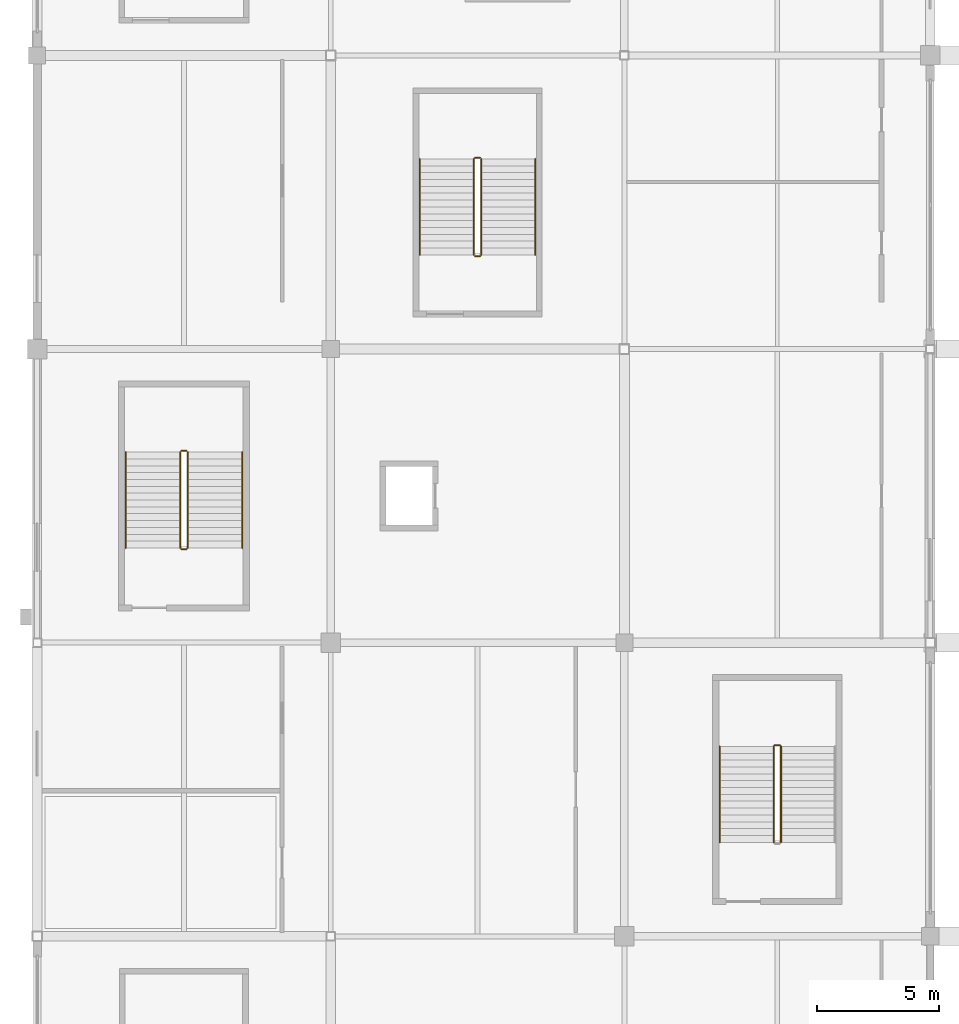
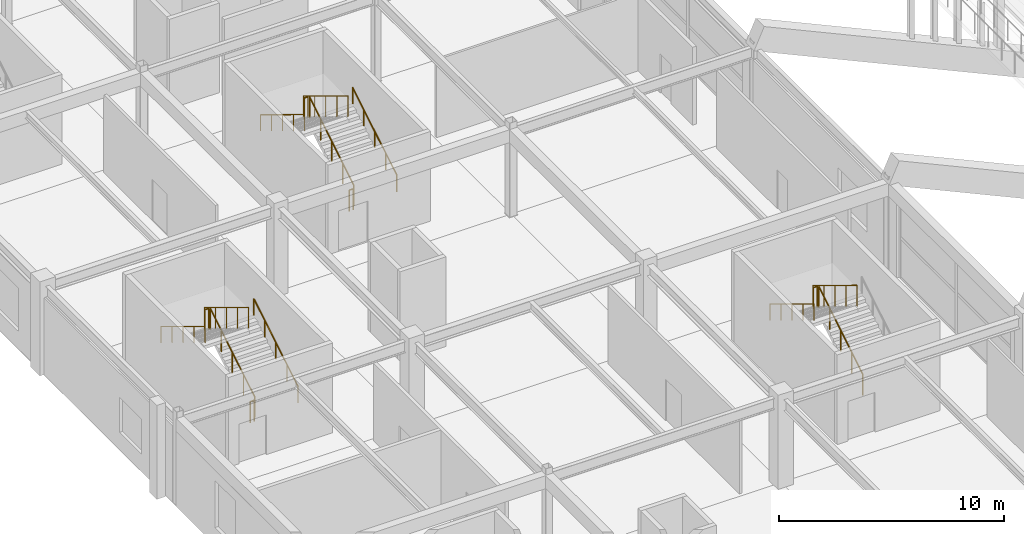
# One storey, part 110 of 128: 16 railings.
"""IFC4 building model written with IfcOpenShell, lengths in metres."""

from ifc_helpers import new_model, si_unit, direction, frame, origin, origin_2d, place, context, subcontext, project, spatial, circle, extrude, material, layer, layer_set, type_object, element, save


model = new_model("IFC4")

# Units and contexts
model_context = context("Model", 3, precision=1e-05, world=origin(), true_north=direction((0.0, 1.0)))
body_context = subcontext(model_context, "Body", "Model", "MODEL_VIEW")
ifc_project = project(units=[si_unit("LENGTHUNIT", "METRE"), si_unit("AREAUNIT", "SQUARE_METRE"), si_unit("VOLUMEUNIT", "CUBIC_METRE"), si_unit("PLANEANGLEUNIT", "RADIAN"), si_unit("MASSUNIT", "GRAM", prefix="KILO")], contexts=[model_context])

# Site, building, storey
site_placement = place(None, origin())
site = spatial("IfcSite", under=ifc_project, at=site_placement, CompositionType="ELEMENT")
building_placement = place(site_placement, origin())
building = spatial("IfcBuilding", under=site, at=building_placement, Name="Kazenohara Klinker Stadium", CompositionType="ELEMENT")
storey_placement = place(building_placement, frame((0.0, 0.0, 15.300048828125)))
storey = spatial("IfcBuildingStorey", under=building, at=storey_placement, Name="L03", CompositionType="ELEMENT", Elevation=15.300048828125)

# Railings
ifc_material_1 = material(Name="Brushed stainless steel 304 handrail", Category="steel")
ifc_layer_1 = layer(ifc_material_1, 0.050048828125)
ifc_layer_set_1 = layer_set([ifc_layer_1], Name="Brushed stainless steel 304 handrail")
railing_type_1 = type_object("IfcRailingType", Name="RL-HND-900", PredefinedType="HANDRAIL", material=ifc_layer_set_1)
railing_1_placement = place(storey_placement, frame((8.3798828125, 87.8701171875, 0.169921875)))
element("IfcRailing", 1, at=railing_1_placement, inside=storey, type_object=railing_type_1, Name="L03 ST03 stair handrail 1", PredefinedType="HANDRAIL", context=body_context, shape_type="SweptSolid", body=[
    extrude(circle(Radius=0.02392578125, at=origin_2d()), frame((0.0, 0.0, 0.8759765625), z_axis=(0.0, 0.854770645689, 0.519005918337), x_axis=(-1.0, 0.0, 0.0)), (0.0, 0.0, 1.0), 4.5859375),
    extrude(circle(Radius=0.02099609375, at=origin_2d()), origin(), (0.0, 0.0, 1.0), 0.851806640625),
    extrude(circle(Radius=0.02099609375, at=origin_2d()), frame((0.0, 0.97998046875, 0.594970703125)), (0.0, 0.0, 1.0), 0.851806640625),
    extrude(circle(Radius=0.02099609375, at=origin_2d()), frame((0.0, 1.9599609375, 1.18994140625)), (0.0, 0.0, 1.0), 0.851806640625),
    extrude(circle(Radius=0.02099609375, at=origin_2d()), frame((0.0, 2.93994140625, 1.78515625)), (0.0, 0.0, 1.0), 0.851806640625),
    extrude(circle(Radius=0.02099609375, at=origin_2d()), frame((0.0, 3.919921875, 2.380126953125)), (0.0, 0.0, 1.0), 0.851806640625),
])
railing_2_placement = place(storey_placement, frame((3.6201171875, 91.7900390625, 2.719970703125)))
element("IfcRailing", 2, at=railing_2_placement, inside=storey, type_object=railing_type_1, Name="L03 ST03 stair handrail 2", PredefinedType="HANDRAIL", context=body_context, shape_type="SweptSolid", body=[
    extrude(circle(Radius=0.02392578125, at=origin_2d()), frame((0.0, 0.0, 0.8759765625), z_axis=(0.0, -0.854794262968, 0.518967020143), x_axis=(1.0, 0.0, 0.0)), (0.0, 0.0, 1.0), 4.585693359375),
    extrude(circle(Radius=0.02099609375, at=origin_2d()), origin(), (0.0, 0.0, 1.0), 0.851806640625),
    extrude(circle(Radius=0.02099609375, at=origin_2d()), frame((0.0, -0.97998046875, 0.594970703125)), (0.0, 0.0, 1.0), 0.851806640625),
    extrude(circle(Radius=0.02099609375, at=origin_2d()), frame((0.0, -1.9599609375, 1.18994140625)), (0.0, 0.0, 1.0), 0.851806640625),
    extrude(circle(Radius=0.02099609375, at=origin_2d()), frame((0.0, -2.93994140625, 1.784912109375)), (0.0, 0.0, 1.0), 0.851806640625),
    extrude(circle(Radius=0.02099609375, at=origin_2d()), frame((0.0, -3.919921875, 2.3798828125)), (0.0, 0.0, 1.0), 0.851806640625),
])
railing_3_placement = place(storey_placement, frame((20.360107421875, 99.85009765625, 0.169921875)))
element("IfcRailing", 3, at=railing_3_placement, inside=storey, type_object=railing_type_1, Name="L03 ST14 stair handrail 1", PredefinedType="HANDRAIL", context=body_context, shape_type="SweptSolid", body=[
    extrude(circle(Radius=0.02392578125, at=origin_2d()), frame((0.0, 0.0, 0.8759765625), z_axis=(0.0, 0.854770645689, 0.519005918337), x_axis=(-1.0, 0.0, 0.0)), (0.0, 0.0, 1.0), 4.5859375),
    extrude(circle(Radius=0.02099609375, at=origin_2d()), origin(), (0.0, 0.0, 1.0), 0.851806640625),
    extrude(circle(Radius=0.02099609375, at=origin_2d()), frame((0.0, 0.97998046875, 0.594970703125)), (0.0, 0.0, 1.0), 0.851806640625),
    extrude(circle(Radius=0.02099609375, at=origin_2d()), frame((0.0, 1.9599609375, 1.18994140625)), (0.0, 0.0, 1.0), 0.851806640625),
    extrude(circle(Radius=0.02099609375, at=origin_2d()), frame((0.0, 2.93994140625, 1.78515625)), (0.0, 0.0, 1.0), 0.851806640625),
    extrude(circle(Radius=0.02099609375, at=origin_2d()), frame((0.0, 3.919921875, 2.380126953125)), (0.0, 0.0, 1.0), 0.851806640625),
])
for number, where, name in (
    (4, (15.639892578125, 103.77001953125, 2.719970703125), "L03 ST14 stair handrail 2"),
    (5, (27.89990234375, 79.760009765625, 2.719970703125), "L03 ST17 stair handrail 2"),
):
    element("IfcRailing", number, at=place(storey_placement, frame(where)), inside=storey, type_object=railing_type_1, Name=name, PredefinedType="HANDRAIL", context=body_context, shape_type="SweptSolid", body=[
        extrude(circle(Radius=0.02392578125, at=origin_2d()), frame((0.0, 0.0, 0.8759765625), z_axis=(0.0, -0.854794262968, 0.518967020143), x_axis=(1.0, 0.0, 0.0)), (0.0, 0.0, 1.0), 4.585693359375),
        extrude(circle(Radius=0.02099609375, at=origin_2d()), origin(), (0.0, 0.0, 1.0), 0.851806640625),
        extrude(circle(Radius=0.02099609375, at=origin_2d()), frame((0.0, -0.97998046875, 0.594970703125)), (0.0, 0.0, 1.0), 0.851806640625),
        extrude(circle(Radius=0.02099609375, at=origin_2d()), frame((0.0, -1.9599609375, 1.18994140625)), (0.0, 0.0, 1.0), 0.851806640625),
        extrude(circle(Radius=0.02099609375, at=origin_2d()), frame((0.0, -2.93994140625, 1.784912109375)), (0.0, 0.0, 1.0), 0.851806640625),
        extrude(circle(Radius=0.02099609375, at=origin_2d()), frame((0.0, -3.919921875, 2.3798828125)), (0.0, 0.0, 1.0), 0.851806640625),
    ])
ifc_material_2 = material(Name="Painted steel stairwell guardrail", Category="steel")
ifc_layer_2 = layer(ifc_material_2, 0.06005859375)
ifc_layer_set_2 = layer_set([ifc_layer_2], Name="Painted steel stairwell guardrail")
railing_type_2 = type_object("IfcRailingType", Name="RL-STG-1120", PredefinedType="GUARDRAIL", material=ifc_layer_set_2)
railing_4_placement = place(storey_placement, frame((6.14990234375, 87.8701171875, 0.169921875)))
element("IfcRailing", 6, at=railing_4_placement, inside=storey, type_object=railing_type_2, Name="L03 ST03 stair guard 1", PredefinedType="GUARDRAIL", context=body_context, shape_type="SweptSolid", body=[
    extrude(circle(Radius=0.02392578125, at=origin_2d()), frame((0.0, 0.0, 1.1259765625), z_axis=(0.0, 0.854770645689, 0.519005918337), x_axis=(-1.0, 0.0, 0.0)), (0.0, 0.0, 1.0), 4.5859375),
    extrude(circle(Radius=0.02099609375, at=origin_2d()), origin(), (0.0, 0.0, 1.0), 1.101806640625),
    extrude(circle(Radius=0.02099609375, at=origin_2d()), frame((0.0, 0.97998046875, 0.594970703125)), (0.0, 0.0, 1.0), 1.101806640625),
    extrude(circle(Radius=0.02099609375, at=origin_2d()), frame((0.0, 1.9599609375, 1.18994140625)), (0.0, 0.0, 1.0), 1.101806640625),
    extrude(circle(Radius=0.02099609375, at=origin_2d()), frame((0.0, 2.93994140625, 1.78515625)), (0.0, 0.0, 1.0), 1.101806640625),
    extrude(circle(Radius=0.02099609375, at=origin_2d()), frame((0.0, 3.919921875, 2.380126953125)), (0.0, 0.0, 1.0), 1.101806640625),
])
railing_5_placement = place(storey_placement, frame((6.10009765625, 91.840087890625, 2.550048828125)))
element("IfcRailing", 7, at=railing_5_placement, inside=storey, type_object=railing_type_2, Name="L03 ST03 stair guard 2", PredefinedType="GUARDRAIL", context=body_context, shape_type="SweptSolid", body=[
    extrude(circle(Radius=0.02392578125, at=origin_2d()), frame((0.0, 0.0, 1.1259765625), z_axis=(-1.0, 0.0, 0.0), x_axis=(0.0, -1.0, 0.0)), (0.0, 0.0, 1.0), 0.2001953125),
    extrude(circle(Radius=0.02099609375, at=origin_2d()), origin(), (0.0, 0.0, 1.0), 1.101806640625),
    extrude(circle(Radius=0.02099609375, at=origin_2d()), frame((-0.2001953125, 0.0, 0.0)), (0.0, 0.0, 1.0), 1.101806640625),
])
railing_6_placement = place(storey_placement, frame((5.85009765625, 91.7900390625, 2.719970703125)))
element("IfcRailing", 8, at=railing_6_placement, inside=storey, type_object=railing_type_2, Name="L03 ST03 stair guard 3", PredefinedType="GUARDRAIL", context=body_context, shape_type="SweptSolid", body=[
    extrude(circle(Radius=0.02392578125, at=origin_2d()), frame((0.0, 0.0, 1.1259765625), z_axis=(0.0, -0.854794262968, 0.518967020143), x_axis=(1.0, 0.0, 0.0)), (0.0, 0.0, 1.0), 4.585693359375),
    extrude(circle(Radius=0.02099609375, at=origin_2d()), origin(), (0.0, 0.0, 1.0), 1.101806640625),
    extrude(circle(Radius=0.02099609375, at=origin_2d()), frame((0.0, -0.97998046875, 0.594970703125)), (0.0, 0.0, 1.0), 1.101806640625),
    extrude(circle(Radius=0.02099609375, at=origin_2d()), frame((0.0, -1.9599609375, 1.18994140625)), (0.0, 0.0, 1.0), 1.101806640625),
    extrude(circle(Radius=0.02099609375, at=origin_2d()), frame((0.0, -2.93994140625, 1.784912109375)), (0.0, 0.0, 1.0), 1.101806640625),
    extrude(circle(Radius=0.02099609375, at=origin_2d()), frame((0.0, -3.919921875, 2.3798828125)), (0.0, 0.0, 1.0), 1.101806640625),
])
railing_7_placement = place(storey_placement, frame((6.10009765625, 87.820068359375, 0.0)))
element("IfcRailing", 9, at=railing_7_placement, inside=storey, type_object=railing_type_2, Name="L03 ST03 stair guard 4", PredefinedType="GUARDRAIL", context=body_context, shape_type="SweptSolid", body=[
    extrude(circle(Radius=0.02392578125, at=origin_2d()), frame((0.0, 0.0, 1.1259765625), z_axis=(-1.0, 0.0, 0.0), x_axis=(0.0, -1.0, 0.0)), (0.0, 0.0, 1.0), 0.2001953125),
    extrude(circle(Radius=0.02099609375, at=origin_2d()), origin(), (0.0, 0.0, 1.0), 1.101806640625),
    extrude(circle(Radius=0.02099609375, at=origin_2d()), frame((-0.2001953125, 0.0, 0.0)), (0.0, 0.0, 1.0), 1.101806640625),
])
railing_8_placement = place(storey_placement, frame((18.14990234375, 99.85009765625, 0.169921875)))
element("IfcRailing", 10, at=railing_8_placement, inside=storey, type_object=railing_type_2, Name="L03 ST14 stair guard 1", PredefinedType="GUARDRAIL", context=body_context, shape_type="SweptSolid", body=[
    extrude(circle(Radius=0.02392578125, at=origin_2d()), frame((0.0, 0.0, 1.1259765625), z_axis=(0.0, 0.854770645689, 0.519005918337), x_axis=(-1.0, 0.0, 0.0)), (0.0, 0.0, 1.0), 4.5859375),
    extrude(circle(Radius=0.02099609375, at=origin_2d()), origin(), (0.0, 0.0, 1.0), 1.101806640625),
    extrude(circle(Radius=0.02099609375, at=origin_2d()), frame((0.0, 0.97998046875, 0.594970703125)), (0.0, 0.0, 1.0), 1.101806640625),
    extrude(circle(Radius=0.02099609375, at=origin_2d()), frame((0.0, 1.9599609375, 1.18994140625)), (0.0, 0.0, 1.0), 1.101806640625),
    extrude(circle(Radius=0.02099609375, at=origin_2d()), frame((0.0, 2.93994140625, 1.78515625)), (0.0, 0.0, 1.0), 1.101806640625),
    extrude(circle(Radius=0.02099609375, at=origin_2d()), frame((0.0, 3.919921875, 2.380126953125)), (0.0, 0.0, 1.0), 1.101806640625),
])
railing_9_placement = place(storey_placement, frame((18.10009765625, 103.820068359375, 2.550048828125)))
element("IfcRailing", 11, at=railing_9_placement, inside=storey, type_object=railing_type_2, Name="L03 ST14 stair guard 2", PredefinedType="GUARDRAIL", context=body_context, shape_type="SweptSolid", body=[
    extrude(circle(Radius=0.02392578125, at=origin_2d()), frame((0.0, 0.0, 1.1259765625), z_axis=(-1.0, 0.0, 0.0), x_axis=(0.0, -1.0, 0.0)), (0.0, 0.0, 1.0), 0.2001953125),
    extrude(circle(Radius=0.02099609375, at=origin_2d()), origin(), (0.0, 0.0, 1.0), 1.101806640625),
    extrude(circle(Radius=0.02099609375, at=origin_2d()), frame((-0.2001953125, 0.0, 0.0)), (0.0, 0.0, 1.0), 1.101806640625),
])
railing_10_placement = place(storey_placement, frame((17.85009765625, 103.77001953125, 2.719970703125)))
element("IfcRailing", 12, at=railing_10_placement, inside=storey, type_object=railing_type_2, Name="L03 ST14 stair guard 3", PredefinedType="GUARDRAIL", context=body_context, shape_type="SweptSolid", body=[
    extrude(circle(Radius=0.02392578125, at=origin_2d()), frame((0.0, 0.0, 1.1259765625), z_axis=(0.0, -0.854794262968, 0.518967020143), x_axis=(1.0, 0.0, 0.0)), (0.0, 0.0, 1.0), 4.585693359375),
    extrude(circle(Radius=0.02099609375, at=origin_2d()), origin(), (0.0, 0.0, 1.0), 1.101806640625),
    extrude(circle(Radius=0.02099609375, at=origin_2d()), frame((0.0, -0.97998046875, 0.594970703125)), (0.0, 0.0, 1.0), 1.101806640625),
    extrude(circle(Radius=0.02099609375, at=origin_2d()), frame((0.0, -1.9599609375, 1.18994140625)), (0.0, 0.0, 1.0), 1.101806640625),
    extrude(circle(Radius=0.02099609375, at=origin_2d()), frame((0.0, -2.93994140625, 1.784912109375)), (0.0, 0.0, 1.0), 1.101806640625),
    extrude(circle(Radius=0.02099609375, at=origin_2d()), frame((0.0, -3.919921875, 2.3798828125)), (0.0, 0.0, 1.0), 1.101806640625),
])
railing_11_placement = place(storey_placement, frame((18.10009765625, 99.800048828125, 0.0)))
element("IfcRailing", 13, at=railing_11_placement, inside=storey, type_object=railing_type_2, Name="L03 ST14 stair guard 4", PredefinedType="GUARDRAIL", context=body_context, shape_type="SweptSolid", body=[
    extrude(circle(Radius=0.02392578125, at=origin_2d()), frame((0.0, 0.0, 1.1259765625), z_axis=(-1.0, 0.0, 0.0), x_axis=(0.0, -1.0, 0.0)), (0.0, 0.0, 1.0), 0.2001953125),
    extrude(circle(Radius=0.02099609375, at=origin_2d()), origin(), (0.0, 0.0, 1.0), 1.101806640625),
    extrude(circle(Radius=0.02099609375, at=origin_2d()), frame((-0.2001953125, 0.0, 0.0)), (0.0, 0.0, 1.0), 1.101806640625),
])
railing_12_placement = place(storey_placement, frame((30.39990234375, 75.840087890625, 0.169921875)))
element("IfcRailing", 14, at=railing_12_placement, inside=storey, type_object=railing_type_2, Name="L03 ST17 stair guard 1", PredefinedType="GUARDRAIL", context=body_context, shape_type="SweptSolid", body=[
    extrude(circle(Radius=0.02392578125, at=origin_2d()), frame((0.0, 0.0, 1.1259765625), z_axis=(0.0, 0.854770645689, 0.519005918337), x_axis=(-1.0, 0.0, 0.0)), (0.0, 0.0, 1.0), 4.5859375),
    extrude(circle(Radius=0.02099609375, at=origin_2d()), origin(), (0.0, 0.0, 1.0), 1.101806640625),
    extrude(circle(Radius=0.02099609375, at=origin_2d()), frame((0.0, 0.97998046875, 0.594970703125)), (0.0, 0.0, 1.0), 1.101806640625),
    extrude(circle(Radius=0.02099609375, at=origin_2d()), frame((0.0, 1.9599609375, 1.18994140625)), (0.0, 0.0, 1.0), 1.101806640625),
    extrude(circle(Radius=0.02099609375, at=origin_2d()), frame((0.0, 2.93994140625, 1.78515625)), (0.0, 0.0, 1.0), 1.101806640625),
    extrude(circle(Radius=0.02099609375, at=origin_2d()), frame((0.0, 3.919921875, 2.380126953125)), (0.0, 0.0, 1.0), 1.101806640625),
])
railing_13_placement = place(storey_placement, frame((30.35009765625, 79.81005859375, 2.550048828125)))
element("IfcRailing", 15, at=railing_13_placement, inside=storey, type_object=railing_type_2, Name="L03 ST17 stair guard 2", PredefinedType="GUARDRAIL", context=body_context, shape_type="SweptSolid", body=[
    extrude(circle(Radius=0.02392578125, at=origin_2d()), frame((0.0, 0.0, 1.1259765625), z_axis=(-1.0, 0.0, 0.0), x_axis=(0.0, -1.0, 0.0)), (0.0, 0.0, 1.0), 0.2001953125),
    extrude(circle(Radius=0.02099609375, at=origin_2d()), origin(), (0.0, 0.0, 1.0), 1.101806640625),
    extrude(circle(Radius=0.02099609375, at=origin_2d()), frame((-0.2001953125, 0.0, 0.0)), (0.0, 0.0, 1.0), 1.101806640625),
])
railing_14_placement = place(storey_placement, frame((30.10009765625, 79.760009765625, 2.719970703125)))
element("IfcRailing", 16, at=railing_14_placement, inside=storey, type_object=railing_type_2, Name="L03 ST17 stair guard 3", PredefinedType="GUARDRAIL", context=body_context, shape_type="SweptSolid", body=[
    extrude(circle(Radius=0.02392578125, at=origin_2d()), frame((0.0, 0.0, 1.1259765625), z_axis=(0.0, -0.854794262968, 0.518967020143), x_axis=(1.0, 0.0, 0.0)), (0.0, 0.0, 1.0), 4.585693359375),
    extrude(circle(Radius=0.02099609375, at=origin_2d()), origin(), (0.0, 0.0, 1.0), 1.101806640625),
    extrude(circle(Radius=0.02099609375, at=origin_2d()), frame((0.0, -0.97998046875, 0.594970703125)), (0.0, 0.0, 1.0), 1.101806640625),
    extrude(circle(Radius=0.02099609375, at=origin_2d()), frame((0.0, -1.9599609375, 1.18994140625)), (0.0, 0.0, 1.0), 1.101806640625),
    extrude(circle(Radius=0.02099609375, at=origin_2d()), frame((0.0, -2.93994140625, 1.784912109375)), (0.0, 0.0, 1.0), 1.101806640625),
    extrude(circle(Radius=0.02099609375, at=origin_2d()), frame((0.0, -3.919921875, 2.3798828125)), (0.0, 0.0, 1.0), 1.101806640625),
])

save(model, "model.ifc")
